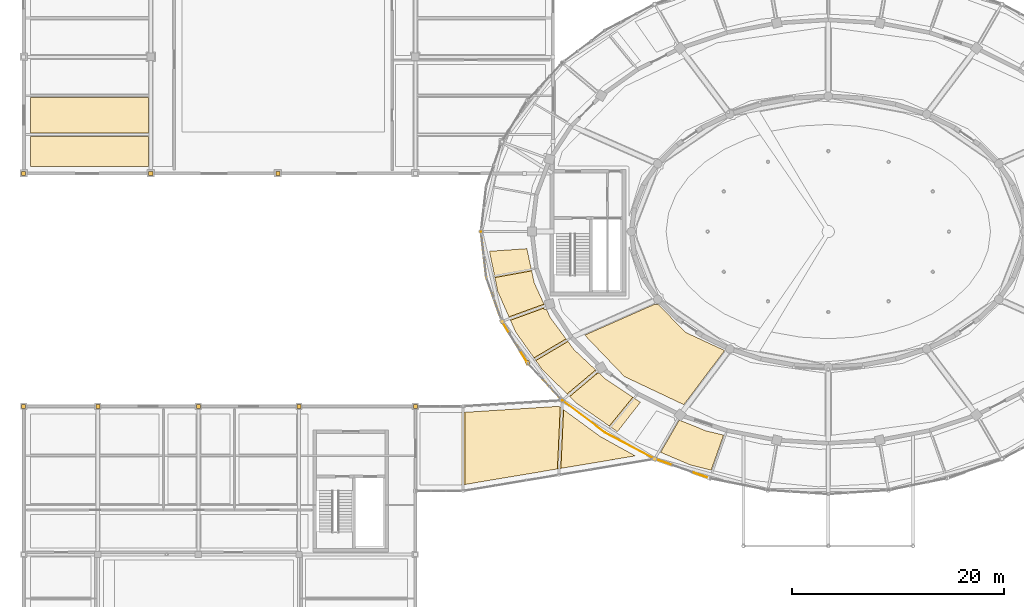
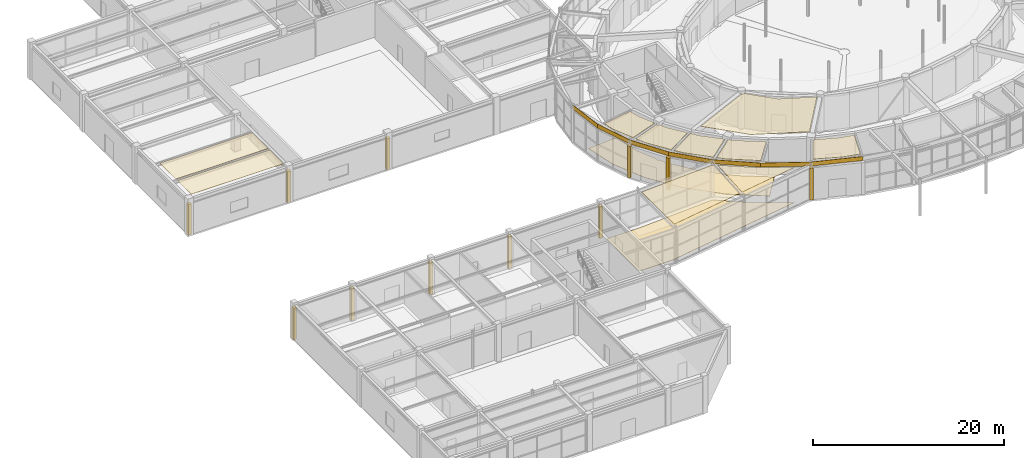
# One storey, part 99 of 108: 30 coverings.
"""IFC4 building model written with IfcOpenShell, lengths in metres."""

import ifcopenshell
import ifcopenshell.guid

model = None  # the IFC model being written
_history = None  # IfcOwnerHistory: only IFC2X3 demands one
_inside = {}  # id of a spatial element -> (the spatial element, [elements in it])
_under = {}  # id of a project, library or spatial element -> (it, [spatial elements below it])
_declared = {}  # id of a project -> (the project, [libraries it declares])
_typed = {}  # id of a type object -> (the type object, [elements of that type])
_made_of = {}  # id of a material, layer set ... -> (it, [elements and type objects made of it])


def new_model(schema):
    """Start an empty IFC model of exactly this schema.

    Asked for "IFC4X3", IfcOpenShell would pick the latest addendum, in which some entities
    have other attributes; the version numbers below select the first issue.
    IFC2X3 requires an IfcOwnerHistory on every rooted entity: one is made here for all.
    """
    global model, _history
    if schema == "IFC4X3":
        model = ifcopenshell.file(schema_version=(4, 3, 0, 0))
    else:
        model = ifcopenshell.file(schema=schema)
    _inside.clear()
    _under.clear()
    _declared.clear()
    _typed.clear()
    _made_of.clear()
    _history = None
    if model.schema == "IFC2X3":
        org = make("IfcOrganization", Name="unknown")
        user = make(
            "IfcPersonAndOrganization",
            ThePerson=make("IfcPerson", FamilyName="unknown"),
            TheOrganization=org,
        )
        app = make(
            "IfcApplication",
            ApplicationDeveloper=org,
            Version="unknown",
            ApplicationFullName="unknown",
            ApplicationIdentifier="unknown",
        )
        _history = make(
            "IfcOwnerHistory",
            OwningUser=user,
            OwningApplication=app,
            ChangeAction="ADDED",
            CreationDate=0,
        )
    return model


def make(cls, **values):
    """One entity of the class cls with the attributes given. An attribute that is None is left unset."""
    return model.create_entity(
        cls, **{name: value for name, value in values.items() if value is not None}
    )


def rooted(cls, **values):
    """An entity with a GlobalId (a new one), such as an element, a storey or a relation."""
    return make(cls, GlobalId=ifcopenshell.guid.new(), OwnerHistory=_history, **values)


def si_unit(unit_type, name, prefix=None):
    """IfcSIUnit, for example si_unit("LENGTHUNIT", "METRE", prefix="MILLI")."""
    return make("IfcSIUnit", UnitType=unit_type, Prefix=prefix, Name=name)


def assignment(units):
    """IfcUnitAssignment: the units of a project."""
    return None if units is None else make("IfcUnitAssignment", Units=units)


def point(xyz):
    """IfcCartesianPoint."""
    return None if xyz is None else make("IfcCartesianPoint", Coordinates=xyz)


def direction(xyz):
    """IfcDirection."""
    return None if xyz is None else make("IfcDirection", DirectionRatios=xyz)


def frame(location, z_axis=None, x_axis=None):
    """IfcAxis2Placement3D, a coordinate frame: its origin and axes. An axis left out is left unset."""
    return make(
        "IfcAxis2Placement3D",
        Location=point(location),
        Axis=direction(z_axis),
        RefDirection=direction(x_axis),
    )


def frame_2d(location, x_axis=None):
    """IfcAxis2Placement2D, a coordinate frame in the plane: its origin and x axis."""
    return make(
        "IfcAxis2Placement2D", Location=point(location), RefDirection=direction(x_axis)
    )


def origin():
    """The frame at (0, 0, 0) with its axes left unset."""
    return frame((0.0, 0.0, 0.0))


def origin_2d():
    """The frame at (0, 0) in the plane with its x axis left unset."""
    return frame_2d((0.0, 0.0))


def place(relative_to, where):
    """IfcLocalPlacement: puts the frame where relative to a parent placement (None: the world)."""
    return make(
        "IfcLocalPlacement", PlacementRelTo=relative_to, RelativePlacement=where
    )


def context(
    kind, dimensions, precision=None, world=None, true_north=None, identifier=None
):
    """IfcGeometricRepresentationContext, for example the 3D "Model" context."""
    return make(
        "IfcGeometricRepresentationContext",
        ContextIdentifier=identifier,
        ContextType=kind,
        CoordinateSpaceDimension=dimensions,
        Precision=precision,
        WorldCoordinateSystem=world,
        TrueNorth=true_north,
    )


def subcontext(parent, identifier, kind, view, scale=None):
    """IfcGeometricRepresentationSubContext, for example "Body" below "Model"."""
    return make(
        "IfcGeometricRepresentationSubContext",
        ContextIdentifier=identifier,
        ContextType=kind,
        ParentContext=parent,
        TargetScale=scale,
        TargetView=view,
    )


def project(units=None, contexts=None):
    """IfcProject with its units and contexts."""
    return rooted(
        "IfcProject",
        Name="project",
        RepresentationContexts=contexts,
        UnitsInContext=assignment(units),
    )


def spatial(cls, under=None, at=None, **own):
    """A site, building, storey or space (cls), placed at a placement, below another one or the project."""
    s = rooted(cls, ObjectPlacement=at, **own)
    if under is not None:
        _under.setdefault(under.id(), (under, []))[1].append(s)
    return s


def polyline(points):
    """IfcPolyline through the points."""
    return make("IfcPolyline", Points=[point(p) for p in points])


def profile(cls, at=None, kind="AREA", **sizes):
    """A parametric profile (cls). Its sizes go by their IFC names, for example OverallWidth=200.0."""
    return make(cls, ProfileType=kind, Position=at, **sizes)


def rectangle(**sizes):
    """IfcRectangleProfileDef."""
    return profile("IfcRectangleProfileDef", **sizes)


def outline(outer, holes=None, kind="AREA"):
    """IfcArbitraryClosedProfileDef: a profile drawn as a closed curve; with holes, ...WithVoids."""
    if holes is None:
        return make("IfcArbitraryClosedProfileDef", ProfileType=kind, OuterCurve=outer)
    return make(
        "IfcArbitraryProfileDefWithVoids",
        ProfileType=kind,
        OuterCurve=outer,
        InnerCurves=holes,
    )


def extrude(swept, where, along, depth):
    """IfcExtrudedAreaSolid: the profile swept, set in the frame where, extruded along a direction by depth."""
    return make(
        "IfcExtrudedAreaSolid",
        SweptArea=swept,
        Position=where,
        ExtrudedDirection=direction(along),
        Depth=depth,
    )


def shape(context_of_items, identifier, shape_type, items):
    """IfcShapeRepresentation: the items that make up one representation, for example the "Body"."""
    return make(
        "IfcShapeRepresentation",
        ContextOfItems=context_of_items,
        RepresentationIdentifier=identifier,
        RepresentationType=shape_type,
        Items=items,
    )


def material(Name=None, Category=None):
    """IfcMaterial."""
    return make("IfcMaterial", Name=Name, Category=Category)


def layer(
    of_material, thickness, ventilated=None, Name=None, Category=None, Priority=None
):
    """IfcMaterialLayer: one layer of a wall or slab, of a material (None: an air gap)."""
    return make(
        "IfcMaterialLayer",
        Material=of_material,
        LayerThickness=thickness,
        IsVentilated=ventilated,
        Name=Name,
        Category=Category,
        Priority=Priority,
    )


def layer_set(layers, Name=None):
    """IfcMaterialLayerSet."""
    return make("IfcMaterialLayerSet", MaterialLayers=layers, LayerSetName=Name)


def made_of(thing, what):
    """Note that an element or type object is made of a material, layer set ...; save() writes the relation."""
    if what is not None:
        _made_of.setdefault(what.id(), (what, []))[1].append(thing)
    return thing


def type_object(cls, material=None, **own):
    """A type object (cls), such as IfcWallType, which elements share."""
    return made_of(rooted(cls, **own), material)


def element(
    cls,
    number,
    at=None,
    inside=None,
    cuts=None,
    type_object=None,
    material=None,
    context=None,
    identifier="Body",
    shape_type=None,
    held_by="IfcProductDefinitionShape",
    body=None,
    shapes=None,
    **own,
):
    """One element of the class cls, such as IfcWall. Its Tag is "e" and its number.

    at: its placement. inside: the storey or other place that contains it. cuts: it is an
    opening in that element (IfcRelVoidsElement). A single representation is given by context,
    identifier, shape_type and body (its items); several are given by shapes. held_by: the class
    of the entity that holds the representations. save() writes the other relations.
    """
    e = rooted(cls, Tag="e%d" % number, ObjectPlacement=at, **own)
    if body is not None:
        shapes = [shape(context, identifier, shape_type, body)]
    if shapes is not None:
        e.Representation = make(held_by, Representations=shapes)
    if inside is not None:
        _inside.setdefault(inside.id(), (inside, []))[1].append(e)
    if cuts is not None:
        rooted(
            "IfcRelVoidsElement", RelatingBuildingElement=cuts, RelatedOpeningElement=e
        )
    if type_object is not None:
        _typed.setdefault(type_object.id(), (type_object, []))[1].append(e)
    return made_of(e, material)


def aggregate(whole, parts):
    """IfcRelAggregates: a whole, such as a stair, and the parts it consists of."""
    return rooted("IfcRelAggregates", RelatingObject=whole, RelatedObjects=parts)


def save(model, path):
    """Write the relations noted so far, then the file.

    IfcRelAggregates (storeys below a building ...), IfcRelContainedInSpatialStructure (elements
    in a storey), IfcRelDefinesByType, IfcRelAssociatesMaterial and IfcRelDeclares: one each for
    every whole, place, type object, material and project.
    """
    for whole, parts in _under.values():
        aggregate(whole, parts)
    for where, things in _inside.values():
        rooted(
            "IfcRelContainedInSpatialStructure",
            RelatedElements=things,
            RelatingStructure=where,
        )
    for kind, things in _typed.values():
        rooted("IfcRelDefinesByType", RelatedObjects=things, RelatingType=kind)
    for what, things in _made_of.values():
        rooted("IfcRelAssociatesMaterial", RelatedObjects=things, RelatingMaterial=what)
    for by, libraries in _declared.values():
        rooted("IfcRelDeclares", RelatingContext=by, RelatedDefinitions=libraries)
    model.write(path)


model = new_model("IFC4")

# Units and contexts
model_context = context("Model", 3, precision=1e-05, world=origin(), true_north=direction((0.0, 1.0)))
body_context = subcontext(model_context, "Body", "Model", "MODEL_VIEW")
ifc_project = project(units=[si_unit("LENGTHUNIT", "METRE"), si_unit("AREAUNIT", "SQUARE_METRE"), si_unit("VOLUMEUNIT", "CUBIC_METRE"), si_unit("PLANEANGLEUNIT", "RADIAN"), si_unit("MASSUNIT", "GRAM", prefix="KILO")], contexts=[model_context])

# Site, building, storey
site_placement = place(None, origin())
site = spatial("IfcSite", under=ifc_project, at=site_placement, CompositionType="ELEMENT")
building_placement = place(site_placement, origin())
building = spatial("IfcBuilding", under=site, at=building_placement, Name="Tarnveldt Headland Concert Hall", CompositionType="ELEMENT")
storey_placement = place(building_placement, origin())
storey = spatial("IfcBuildingStorey", under=building, at=storey_placement, Name="L00", CompositionType="ELEMENT", Elevation=0.0)

# Coverings
ifc_material_1 = material(Name="Micro-perforated mvule acoustic ceiling panel", Category="timber")
ifc_layer_1 = layer(ifc_material_1, 0.050048828125, Name="Micro-perforated mvule acoustic ceiling panel", Category="timber")
ifc_layer_set_1 = layer_set([ifc_layer_1], Name="Micro-perforated mvule acoustic ceiling panel")
covering_type_1 = type_object("IfcCoveringType", Name="CV-CEIL50", PredefinedType="CEILING", material=ifc_layer_set_1)
covering_1_placement = place(storey_placement, frame((0.0, 0.0, 4.469970703125)))
element("IfcCovering", 1, at=covering_1_placement, inside=storey, type_object=covering_type_1, Name="Acoustic mvule ceiling L00-10-4", PredefinedType="CEILING", context=body_context, shape_type="SweptSolid", body=[
    extrude(outline(polyline([(70.048095703125, 44.96240234375), (73.699951171875, 43.27099609375), (73.699951171875, 43.25830078125), (69.850341796875, 38.151123046875), (64.24658203125, 40.7998046875), (60.49462890625, 44.71630859375), (67.015380859375, 47.60009765625), (67.45263671875, 47.60009765625), (69.9951171875, 44.999755859375), (70.0068359375, 44.988525390625), (70.019775390625, 44.978515625), (70.03369140625, 44.9697265625), (70.048095703125, 44.96240234375)])), origin(), (0.0, 0.0, 1.0), 0.050048828125),
])
covering_2_placement = place(storey_placement, frame((0.0, 0.0, 4.469970703125)))
element("IfcCovering", 2, at=covering_2_placement, inside=storey, type_object=covering_type_1, Name="Acoustic mvule ceiling L00-12-15", PredefinedType="CEILING", context=body_context, shape_type="SweptSolid", body=[
    extrude(outline(polyline([(67.6630859375, 33.647705078125), (69.39892578125, 36.654541015625), (69.529541015625, 36.654541015625), (71.92626953125, 35.682373046875), (71.939208984375, 35.677734375), (71.952392578125, 35.674072265625), (73.60791015625, 35.279541015625), (72.434814453125, 31.96484375), (70.47119140625, 32.454833984375), (67.6630859375, 33.647705078125)])), origin(), (0.0, 0.0, 1.0), 0.050048828125),
])
covering_3_placement = place(storey_placement, frame((0.0, 0.0, 4.469970703125)))
element("IfcCovering", 3, at=covering_3_placement, inside=storey, type_object=covering_type_1, Name="Acoustic mvule ceiling L00-13-23", PredefinedType="CEILING", context=body_context, shape_type="SweptSolid", body=[
    extrude(outline(polyline([(52.0068359375, 50.158935546875), (55.478271484375, 50.788330078125), (55.72021484375, 49.665283203125), (55.7255859375, 49.64599609375), (55.73291015625, 49.62744140625), (56.64892578125, 47.6494140625), (53.337890625, 46.4443359375), (52.278076171875, 48.84130859375), (52.0068359375, 50.158935546875)])), origin(), (0.0, 0.0, 1.0), 0.050048828125),
])
covering_4_placement = place(storey_placement, frame((0.0, 0.0, 4.469970703125)))
element("IfcCovering", 4, at=covering_4_placement, inside=storey, type_object=covering_type_1, Name="Acoustic mvule ceiling L00-13-24", PredefinedType="CEILING", context=body_context, shape_type="SweptSolid", body=[
    extrude(outline(polyline([(57.251953125, 46.3564453125), (58.724365234375, 44.367431640625), (55.69775390625, 42.57080078125), (53.96923828125, 45.016357421875), (53.479736328125, 46.123291015625), (56.66357421875, 47.2822265625), (56.66357421875, 47.134521484375), (56.887451171875, 47.134521484375), (57.2333984375, 46.387939453125), (57.24169921875, 46.371826171875), (57.251953125, 46.3564453125)])), origin(), (0.0, 0.0, 1.0), 0.050048828125),
])
covering_5_placement = place(storey_placement, frame((0.0, 0.0, 4.469970703125)))
element("IfcCovering", 5, at=covering_5_placement, inside=storey, type_object=covering_type_1, Name="Acoustic mvule ceiling L00-13-25", PredefinedType="CEILING", context=body_context, shape_type="SweptSolid", body=[
    extrude(outline(polyline([(61.52587890625, 41.432861328125), (61.52587890625, 41.43212890625), (58.8271484375, 39.16796875), (56.4873046875, 41.453857421875), (55.877197265625, 42.31689453125), (58.90966796875, 44.116943359375), (59.483154296875, 43.342041015625), (59.49365234375, 43.329345703125), (59.505126953125, 43.317626953125), (61.52587890625, 41.432861328125)])), origin(), (0.0, 0.0, 1.0), 0.050048828125),
])
covering_6_placement = place(storey_placement, frame((0.0, 0.0, 4.469970703125)))
element("IfcCovering", 6, at=covering_6_placement, inside=storey, type_object=covering_type_1, Name="Acoustic mvule ceiling L00-13-26", PredefinedType="CEILING", context=body_context, shape_type="SweptSolid", body=[
    extrude(outline(polyline([(62.416259765625, 40.60302734375), (62.42822265625, 40.59423828125), (65.039306640625, 38.857421875), (62.812744140625, 36.12890625), (59.762939453125, 38.253662109375), (59.078857421875, 38.922119140625), (61.697509765625, 41.119140625), (61.862060546875, 41.119140625), (62.405029296875, 40.612548828125), (62.416259765625, 40.60302734375)])), origin(), (0.0, 0.0, 1.0), 0.050048828125),
])
covering_7_placement = place(storey_placement, frame((0.0, 0.0, 4.469970703125)))
element("IfcCovering", 7, at=covering_7_placement, inside=storey, type_object=covering_type_1, Name="Acoustic mvule ceiling L00-25-70", PredefinedType="CEILING", context=body_context, shape_type="SweptSolid", body=[
    extrude(outline(polyline([(57.910888671875, 32.078369140625), (49.1650390625, 30.610107421875), (49.1650390625, 37.43017578125), (58.04638671875, 37.99609375), (58.17822265625, 37.900146484375), (57.910888671875, 32.078369140625)])), origin(), (0.0, 0.0, 1.0), 0.050048828125),
])
covering_8_placement = place(storey_placement, frame((0.0, 0.0, 4.469970703125)))
element("IfcCovering", 8, at=covering_8_placement, inside=storey, type_object=covering_type_1, Name="Acoustic mvule ceiling L00-25-71", PredefinedType="CEILING", context=body_context, shape_type="SweptSolid", body=[
    extrude(outline(polyline([(61.962646484375, 35.142578125), (65.262451171875, 33.312255859375), (58.243896484375, 32.13427734375), (58.497802734375, 37.6669921875), (61.944091796875, 35.154541015625), (61.962646484375, 35.142578125)])), origin(), (0.0, 0.0, 1.0), 0.050048828125),
])
covering_9_placement = place(storey_placement, frame((0.0, 0.0, 4.469970703125)))
element("IfcCovering", 9, at=covering_9_placement, inside=storey, type_object=covering_type_1, Name="Acoustic mvule ceiling L00-29-80", PredefinedType="CEILING", context=body_context, shape_type="SweptSolid", body=[
    extrude(outline(polyline([(19.27001953125, 67.16796875), (19.27001953125, 63.83203125), (8.1298828125, 63.83203125), (8.1298828125, 67.16796875), (19.27001953125, 67.16796875)])), origin(), (0.0, 0.0, 1.0), 0.050048828125),
])
covering_10_placement = place(storey_placement, frame((0.0, 0.0, 4.469970703125)))
element("IfcCovering", 10, at=covering_10_placement, inside=storey, type_object=covering_type_1, Name="Acoustic mvule ceiling L00-29-86", PredefinedType="CEILING", context=body_context, shape_type="SweptSolid", body=[
    extrude(outline(polyline([(19.27001953125, 63.501953125), (19.27001953125, 60.6298828125), (8.1298828125, 60.6298828125), (8.1298828125, 63.501953125), (19.27001953125, 63.501953125)])), origin(), (0.0, 0.0, 1.0), 0.050048828125),
])
ifc_material_2 = material(Name="Treated East African mvule hardwood", Category="wood")
ifc_layer_2 = layer(ifc_material_2, 0.044921875, Name="Treated East African mvule hardwood", Category="wood")
ifc_layer_set_2 = layer_set([ifc_layer_2], Name="Treated East African mvule hardwood")
covering_type_2 = type_object("IfcCoveringType", Name="CV-CLAD45", PredefinedType="CLADDING", material=ifc_layer_set_2)
covering_11_placement = place(storey_placement, frame((50.699951171875, 54.5, 4.219970703125), z_axis=(0.0, 0.0, 1.0), x_axis=(0.11494260035, -0.993372135015, 0.0)))
element("IfcCovering", 11, at=covering_11_placement, inside=storey, type_object=covering_type_2, Name="Mvule hardwood fascia band L00-19", PredefinedType="CLADDING", context=body_context, shape_type="SweptSolid", body=[
    extrude(rectangle(XDim=4.335205078125, YDim=0.044921875, at=frame_2d((2.16748046875, 0.0))), origin(), (0.0, 0.0, 1.0), 0.52001953125),
])
covering_12_placement = place(storey_placement, frame((51.1982421875, 50.193603515625, 4.219970703125), z_axis=(0.0, 0.0, 1.0), x_axis=(0.334010357608, -0.942569403816, 0.0)))
element("IfcCovering", 12, at=covering_12_placement, inside=storey, type_object=covering_type_2, Name="Mvule hardwood fascia band L00-20", PredefinedType="CLADDING", context=body_context, shape_type="SweptSolid", body=[
    extrude(rectangle(XDim=4.43017578125, YDim=0.044921875, at=frame_2d((2.215087890625, 0.0))), origin(), (0.0, 0.0, 1.0), 0.52001953125),
])
covering_13_placement = place(storey_placement, frame((52.677978515625, 46.017822265625, 4.219970703125), z_axis=(0.0, 0.0, 1.0), x_axis=(0.524979001727, -0.851115178895, 0.0)))
element("IfcCovering", 13, at=covering_13_placement, inside=storey, type_object=covering_type_2, Name="Mvule hardwood fascia band L00-21", PredefinedType="CLADDING", context=body_context, shape_type="SweptSolid", body=[
    extrude(rectangle(XDim=4.60302734375, YDim=0.044921875, at=frame_2d((2.301513671875, 0.0))), origin(), (0.0, 0.0, 1.0), 0.52001953125),
])
covering_14_placement = place(storey_placement, frame((55.094482421875, 42.10009765625, 4.219970703125), z_axis=(0.0, 0.0, 1.0), x_axis=(0.67944736966, -0.733724247835, 0.0)))
element("IfcCovering", 14, at=covering_14_placement, inside=storey, type_object=covering_type_2, Name="Mvule hardwood fascia band L00-22", PredefinedType="CLADDING", context=body_context, shape_type="SweptSolid", body=[
    extrude(rectangle(XDim=4.826416015625, YDim=0.044921875, at=frame_2d((2.4130859375, 0.0))), origin(), (0.0, 0.0, 1.0), 0.52001953125),
])
covering_15_placement = place(storey_placement, frame((58.373779296875, 38.558837890625, 4.219970703125), z_axis=(0.0, 0.0, 1.0), x_axis=(0.797664418204, -0.603101546948, 0.0)))
element("IfcCovering", 15, at=covering_15_placement, inside=storey, type_object=covering_type_2, Name="Mvule hardwood fascia band L00-23", PredefinedType="CLADDING", context=body_context, shape_type="SweptSolid", body=[
    extrude(rectangle(XDim=5.068115234375, YDim=0.044921875, at=frame_2d((2.5341796875, 0.0))), origin(), (0.0, 0.0, 1.0), 0.52001953125),
])
covering_16_placement = place(storey_placement, frame((62.41650390625, 35.502197265625, 4.219970703125), z_axis=(0.0, 0.0, 1.0), x_axis=(0.88379239872, -0.467879253617, 0.0)))
element("IfcCovering", 16, at=covering_16_placement, inside=storey, type_object=covering_type_2, Name="Mvule hardwood fascia band L00-24", PredefinedType="CLADDING", context=body_context, shape_type="SweptSolid", body=[
    extrude(rectangle(XDim=5.29931640625, YDim=0.044921875, at=frame_2d((2.649658203125, 0.0))), origin(), (0.0, 0.0, 1.0), 0.52001953125),
])
covering_17_placement = place(storey_placement, frame((67.10009765625, 33.022705078125, 4.219970703125), z_axis=(0.0, 0.0, 1.0), x_axis=(0.943085453999, -0.332550487077, 0.0)))
element("IfcCovering", 17, at=covering_17_placement, inside=storey, type_object=covering_type_2, Name="Mvule hardwood fascia band L00-25", PredefinedType="CLADDING", context=body_context, shape_type="SweptSolid", body=[
    extrude(rectangle(XDim=5.494384765625, YDim=0.044921875, at=frame_2d((2.7470703125, 0.0))), origin(), (0.0, 0.0, 1.0), 0.52001953125),
])
ifc_material_3 = material(Name="Polished coral-aggregate cementitious terrazzo flooring", Category="concrete")
ifc_layer_3 = layer(ifc_material_3, 0.034912109375, Name="Polished coral-aggregate cementitious terrazzo flooring", Category="concrete")
ifc_layer_set_3 = layer_set([ifc_layer_3], Name="Polished coral-aggregate cementitious terrazzo flooring")
covering_type_3 = type_object("IfcCoveringType", Name="CV-FLOR35", PredefinedType="FLOORING", material=ifc_layer_set_3)
covering_18_placement = place(storey_placement, origin())
element("IfcCovering", 18, at=covering_18_placement, inside=storey, type_object=covering_type_3, Name="Architectural flooring L00-13-6", PredefinedType="FLOORING", context=body_context, shape_type="SweptSolid", body=[
    extrude(outline(polyline([(55.7255859375, 49.64599609375), (55.73291015625, 49.62744140625), (56.66357421875, 47.617919921875), (56.66357421875, 47.134521484375), (56.887451171875, 47.134521484375), (57.2333984375, 46.387939453125), (57.24169921875, 46.371826171875), (57.251953125, 46.3564453125), (59.483154296875, 43.342041015625), (59.49365234375, 43.329345703125), (59.505126953125, 43.317626953125), (61.52587890625, 41.432861328125), (61.52587890625, 41.119140625), (61.862060546875, 41.119140625), (62.405029296875, 40.612548828125), (62.416259765625, 40.60302734375), (62.42822265625, 40.59423828125), (65.753662109375, 38.38232421875), (63.5771484375, 35.596435546875), (59.762939453125, 38.253662109375), (56.4873046875, 41.453857421875), (53.96923828125, 45.016357421875), (52.278076171875, 48.84130859375), (51.49658203125, 52.6396484375), (55.026123046875, 52.88671875), (55.72021484375, 49.665283203125), (55.7255859375, 49.64599609375)])), origin(), (0.0, 0.0, 1.0), 0.034912109375),
])
covering_19_placement = place(storey_placement, origin())
element("IfcCovering", 19, at=covering_19_placement, inside=storey, type_object=covering_type_3, Name="Architectural flooring L00-25-18", PredefinedType="FLOORING", context=body_context, shape_type="SweptSolid", body=[
    extrude(outline(polyline([(44.929931640625, 37.419921875), (49.0, 37.419921875), (49.011474609375, 37.42041015625), (58.04638671875, 37.99609375), (61.944091796875, 35.154541015625), (61.962646484375, 35.142578125), (65.262451171875, 33.312255859375), (48.985107421875, 30.580078125), (44.929931640625, 30.580078125), (44.929931640625, 37.419921875)])), origin(), (0.0, 0.0, 1.0), 0.034912109375),
])
ifc_material_4 = material(Name="Coral-toned precast concrete C40/50", Category="concrete")
ifc_layer_4 = layer(ifc_material_4, 0.360107421875, Name="Coral-toned precast concrete C40/50", Category="concrete")
ifc_layer_set_4 = layer_set([ifc_layer_4], Name="Coral-toned precast concrete C40/50")
covering_type_4 = type_object("IfcCoveringType", Name="CV-JNT360", PredefinedType="CLADDING", material=ifc_layer_set_4)
covering_20_placement = place(storey_placement, frame((7.5, 38.0, 0.0), z_axis=(0.0, 0.0, 1.0), x_axis=(1.0, 0.0, 0.0)))
element("IfcCovering", 20, at=covering_20_placement, inside=storey, type_object=covering_type_4, Name="Precast facade joint closure pilaster L00-115", PredefinedType="CLADDING", context=body_context, shape_type="SweptSolid", body=[
    extrude(rectangle(XDim=0.3798828125, YDim=0.3798828125, at=origin_2d()), origin(), (0.0, 0.0, 1.0), 4.05810546875),
])
covering_21_placement = place(storey_placement, frame((7.5, 60.0, 0.0), z_axis=(0.0, 0.0, 1.0), x_axis=(-1.0, 0.0, 0.0)))
element("IfcCovering", 21, at=covering_21_placement, inside=storey, type_object=covering_type_4, Name="Precast facade joint closure pilaster L00-116", PredefinedType="CLADDING", context=body_context, shape_type="SweptSolid", body=[
    extrude(rectangle(XDim=0.3798828125, YDim=0.3798828125, at=origin_2d()), origin(), (0.0, 0.0, 1.0), 3.9580078125),
])
covering_22_placement = place(storey_placement, frame((14.5, 38.0, 0.0), z_axis=(0.0, 0.0, 1.0), x_axis=(1.0, 0.0, 0.0)))
element("IfcCovering", 22, at=covering_22_placement, inside=storey, type_object=covering_type_4, Name="Precast facade joint closure pilaster L00-120", PredefinedType="CLADDING", context=body_context, shape_type="SweptSolid", body=[
    extrude(rectangle(XDim=0.3798828125, YDim=0.3798828125, at=origin_2d()), origin(), (0.0, 0.0, 1.0), 4.05810546875),
])
covering_23_placement = place(storey_placement, frame((19.5, 60.0, 0.0), z_axis=(0.0, 0.0, 1.0), x_axis=(-1.0, 0.0, 0.0)))
element("IfcCovering", 23, at=covering_23_placement, inside=storey, type_object=covering_type_4, Name="Precast facade joint closure pilaster L00-121", PredefinedType="CLADDING", context=body_context, shape_type="SweptSolid", body=[
    extrude(rectangle(XDim=0.3798828125, YDim=0.3798828125, at=origin_2d()), origin(), (0.0, 0.0, 1.0), 3.9580078125),
])
covering_24_placement = place(storey_placement, frame((24.0, 38.0, 0.0), z_axis=(0.0, 0.0, 1.0), x_axis=(1.0, 0.0, 0.0)))
element("IfcCovering", 24, at=covering_24_placement, inside=storey, type_object=covering_type_4, Name="Precast facade joint closure pilaster L00-126", PredefinedType="CLADDING", context=body_context, shape_type="SweptSolid", body=[
    extrude(rectangle(XDim=0.3798828125, YDim=0.3798828125, at=origin_2d()), origin(), (0.0, 0.0, 1.0), 4.05810546875),
])
covering_25_placement = place(storey_placement, frame((31.5, 60.0, 0.0), z_axis=(0.0, 0.0, 1.0), x_axis=(-1.0, 0.0, 0.0)))
element("IfcCovering", 25, at=covering_25_placement, inside=storey, type_object=covering_type_4, Name="Precast facade joint closure pilaster L00-127", PredefinedType="CLADDING", context=body_context, shape_type="SweptSolid", body=[
    extrude(rectangle(XDim=0.3798828125, YDim=0.3798828125, at=origin_2d()), origin(), (0.0, 0.0, 1.0), 3.9580078125),
])
for number, where, z_axis, x_axis, name in (
    (26, (33.5, 38.0, 0.0), (0.0, 0.0, 1.0), (1.0, 0.0, 0.0), "Precast facade joint closure pilaster L00-130"),
    (27, (44.5, 38.0, 0.0), (0.0, 0.0, 1.0), (1.0, 0.0, 0.0), "Precast facade joint closure pilaster L00-135"),
    (28, (52.677978515625, 46.017822265625, 0.0), (0.0, 0.0, 1.0), (-0.524877544859, 0.851177750474, 0.0), "Precast facade joint closure pilaster L00-138"),
    (29, (55.094482421875, 42.10009765625, 0.0), (0.0, 0.0, 1.0), (-0.524877544859, 0.851177750474, 0.0), "Precast facade joint closure pilaster L00-141"),
    (30, (67.10009765625, 33.022705078125, 0.0), (0.0, 0.0, 1.0), (-0.943106654378, 0.33249035846, 0.0), "Precast facade joint closure pilaster L00-149"),
):
    element("IfcCovering", number, at=place(storey_placement, frame(where, z_axis=z_axis, x_axis=x_axis)), inside=storey, type_object=covering_type_4, Name=name, PredefinedType="CLADDING", context=body_context, shape_type="SweptSolid", body=[
        extrude(rectangle(XDim=0.3798828125, YDim=0.3798828125, at=origin_2d()), origin(), (0.0, 0.0, 1.0), 4.05810546875),
    ])

save(model, "model.ifc")
